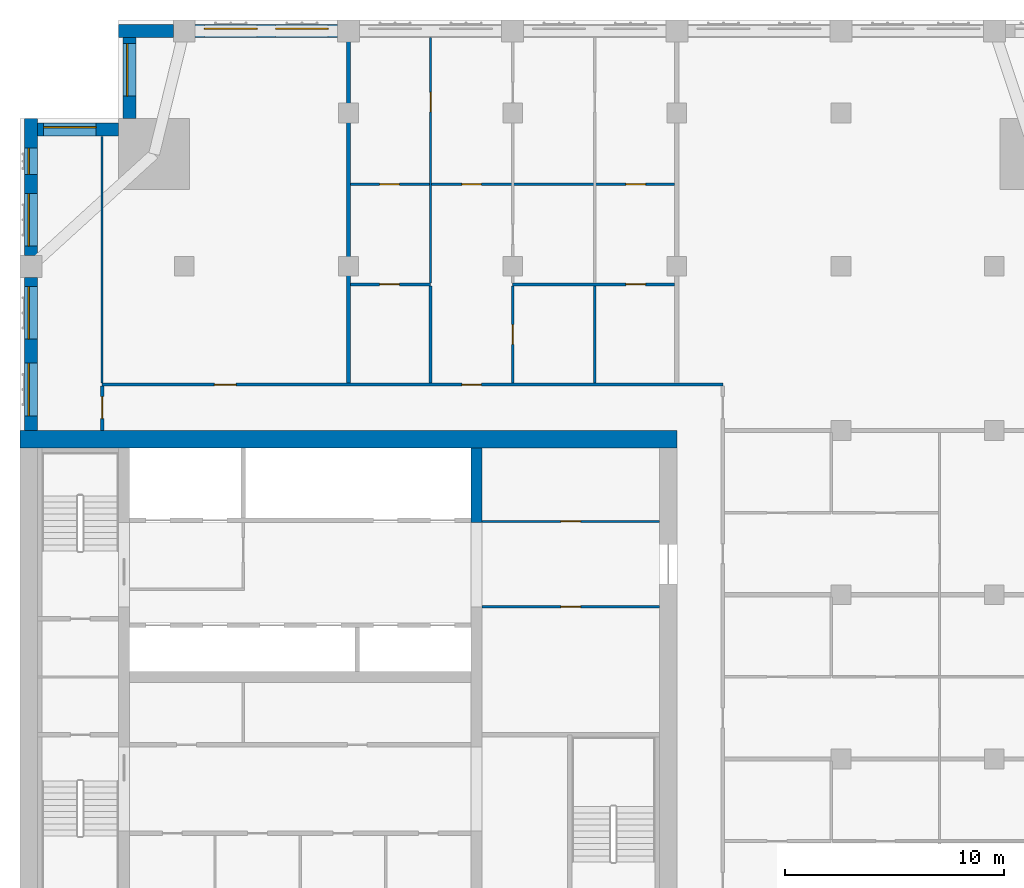
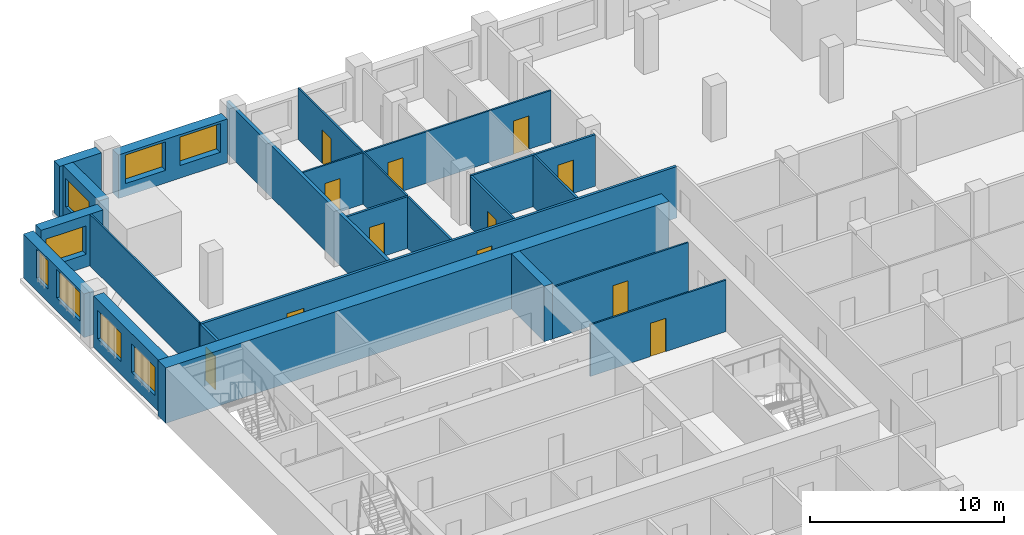
# One storey, part 10 of 14: 21 walls, 12 doors, 8 windows, 20 openings.
"""IFC4 building model written with IfcOpenShell, lengths in metres."""

from ifc_helpers import new_model, si_unit, direction, frame, frame_2d, origin, place, context, subcontext, project, spatial, rectangle, extrude, material, layer, layer_set, type_object, element, fill, save


model = new_model("IFC4")

# Units and contexts
model_context = context("Model", 3, precision=1e-05, world=origin(), true_north=direction((0.0, 1.0)))
body_context = subcontext(model_context, "Body", "Model", "MODEL_VIEW")
ifc_project = project(units=[si_unit("LENGTHUNIT", "METRE"), si_unit("AREAUNIT", "SQUARE_METRE"), si_unit("VOLUMEUNIT", "CUBIC_METRE"), si_unit("PLANEANGLEUNIT", "RADIAN"), si_unit("MASSUNIT", "GRAM", prefix="KILO")], contexts=[model_context])

# Site, building, storey
site_placement = place(None, origin())
site = spatial("IfcSite", under=ifc_project, at=site_placement, CompositionType="ELEMENT")
building_placement = place(site_placement, origin())
building = spatial("IfcBuilding", under=site, at=building_placement, Name="Tamorin Gate", CompositionType="ELEMENT")
storey_placement = place(building_placement, frame((0.0, 0.0, 186.199951171875)))
storey = spatial("IfcBuildingStorey", under=building, at=storey_placement, Name="L45", CompositionType="ELEMENT", Elevation=186.199951171875)

# Wall, openings, windows
ifc_material_1 = material(Name="Precast concrete C40/50", Category="concrete")
ifc_layer_1 = layer(ifc_material_1, 0.60009765625)
ifc_layer_set_1 = layer_set([ifc_layer_1], Name="Precast concrete C40/50")
wall_type_1 = type_object("IfcWallType", Name="Board-marked concrete facade panel 600", PredefinedType="SOLIDWALL", material=ifc_layer_set_1)
wall_1_placement = place(storey_placement, frame((44.5, 100.75, 0.0), z_axis=(0.0, 0.0, 1.0), x_axis=(-1.0, 0.0, 0.0)))
wall_1 = element("IfcWall", 1, at=wall_1_placement, inside=storey, type_object=wall_type_1, Name="Facade panel", PredefinedType="SOLIDWALL", context=body_context, shape_type="SweptSolid", body=[
    extrude(rectangle(XDim=6.5, YDim=0.60009765625, at=frame_2d((3.25, 0.0))), origin(), (0.0, 0.0, 1.0), 2.75),
])
opening_1_placement = place(wall_1_placement, frame((3.675048828125, 0.0, 0.800048828125)))
opening_1 = element("IfcOpeningElement", 2, at=opening_1_placement, cuts=wall_1, Name="Opening WN1", PredefinedType="OPENING", context=body_context, shape_type="SweptSolid", body=[
    extrude(rectangle(XDim=2.39990234375, YDim=1.800048828125, at=frame_2d((1.199951171875, 0.89990234375))), frame((0.0, 0.31005859375, 0.0), z_axis=(0.0, -1.0, 0.0), x_axis=(1.0, 0.0, 0.0)), (0.0, 0.0, 1.0), 0.6201171875),
])
opening_2_placement = place(wall_1_placement, frame((0.425048828125, 0.0, 0.800048828125)))
opening_2 = element("IfcOpeningElement", 3, at=opening_2_placement, cuts=wall_1, Name="Opening WN1", PredefinedType="OPENING", context=body_context, shape_type="SweptSolid", body=[
    extrude(rectangle(XDim=2.39990234375, YDim=1.800048828125, at=frame_2d((1.199951171875, 0.89990234375))), frame((0.0, 0.31005859375, 0.0), z_axis=(0.0, -1.0, 0.0), x_axis=(1.0, 0.0, 0.0)), (0.0, 0.0, 1.0), 0.6201171875),
])
ifc_material_2 = material(Name="Clear glass in aluminium frame", Category="aluminium")
window_type_1 = type_object("IfcWindowType", Name="Deep-set window 2400x1800", PartitioningType="SINGLE_PANEL", PredefinedType="WINDOW", material=ifc_material_2)
window_1_placement = place(opening_1_placement, origin())
window_1 = element("IfcWindow", 4, at=window_1_placement, inside=storey, type_object=window_type_1, Name="Deep-set window", OverallHeight=1.800048828125, OverallWidth=2.39990234375, PartitioningType="SINGLE_PANEL", PredefinedType="WINDOW", context=body_context, shape_type="SweptSolid", body=[
    extrude(rectangle(XDim=2.39990234375, YDim=1.800048828125, at=frame_2d((1.199951171875, 0.89990234375))), frame((0.0, -0.070068359375, 0.0), z_axis=(0.0, -1.0, 0.0), x_axis=(1.0, 0.0, 0.0)), (0.0, 0.0, 1.0), 0.06005859375),
])
fill(opening_1, window_1)
window_2_placement = place(opening_2_placement, origin())
window_2 = element("IfcWindow", 5, at=window_2_placement, inside=storey, type_object=window_type_1, Name="Deep-set window", OverallHeight=1.800048828125, OverallWidth=2.39990234375, PartitioningType="SINGLE_PANEL", PredefinedType="WINDOW", context=body_context, shape_type="SweptSolid", body=[
    extrude(rectangle(XDim=2.39990234375, YDim=1.800048828125, at=frame_2d((1.199951171875, 0.89990234375))), frame((0.0, -0.070068359375, 0.0), z_axis=(0.0, -1.0, 0.0), x_axis=(1.0, 0.0, 0.0)), (0.0, 0.0, 1.0), 0.06005859375),
])
fill(opening_2, window_2)

# Wall
wall_2_placement = place(storey_placement, frame((37.0, 100.75, 0.0), z_axis=(0.0, 0.0, 1.0), x_axis=(-1.0, 0.0, 0.0)))
element("IfcWall", 6, at=wall_2_placement, inside=storey, type_object=wall_type_1, Name="Facade panel", PredefinedType="SOLIDWALL", context=body_context, shape_type="SweptSolid", body=[
    extrude(rectangle(XDim=2.5, YDim=0.60009765625, at=frame_2d((1.25, 0.0))), origin(), (0.0, 0.0, 1.0), 3.25),
])

# Wall, opening, window
wall_3_placement = place(storey_placement, frame((35.0, 100.449951171875, 0.0), z_axis=(0.0, 0.0, 1.0), x_axis=(0.0, -1.0, 0.0)))
wall_3 = element("IfcWall", 7, at=wall_3_placement, inside=storey, type_object=wall_type_1, Name="Facade panel", PredefinedType="SOLIDWALL", context=body_context, shape_type="SweptSolid", body=[
    extrude(rectangle(XDim=3.699951171875, YDim=0.60009765625, at=frame_2d((1.85009765625, 0.0))), origin(), (0.0, 0.0, 1.0), 3.25),
])
opening_3_placement = place(wall_3_placement, frame((0.27490234375, 0.0, 0.800048828125)))
opening_3 = element("IfcOpeningElement", 8, at=opening_3_placement, cuts=wall_3, Name="Opening WN1", PredefinedType="OPENING", context=body_context, shape_type="SweptSolid", body=[
    extrude(rectangle(XDim=2.39990234375, YDim=1.800048828125, at=frame_2d((1.199951171875, 0.89990234375))), frame((0.0, 0.31005859375, 0.0), z_axis=(0.0, -1.0, 0.0), x_axis=(1.0, 0.0, 0.0)), (0.0, 0.0, 1.0), 0.6201171875),
])
window_3_placement = place(opening_3_placement, origin())
window_3 = element("IfcWindow", 9, at=window_3_placement, inside=storey, type_object=window_type_1, Name="Deep-set window", OverallHeight=1.800048828125, OverallWidth=2.39990234375, PartitioningType="SINGLE_PANEL", PredefinedType="WINDOW", context=body_context, shape_type="SweptSolid", body=[
    extrude(rectangle(XDim=2.39990234375, YDim=1.800048828125, at=frame_2d((1.199951171875, 0.89990234375))), frame((0.0, -0.070068359375, 0.0), z_axis=(0.0, -1.0, 0.0), x_axis=(1.0, 0.0, 0.0)), (0.0, 0.0, 1.0), 0.06005859375),
])
fill(opening_3, window_3)

wall_4_placement = place(storey_placement, frame((34.5, 96.25, 0.0), z_axis=(0.0, 0.0, 1.0), x_axis=(-1.0, 0.0, 0.0)))
wall_4 = element("IfcWall", 10, at=wall_4_placement, inside=storey, type_object=wall_type_1, Name="Facade panel", PredefinedType="SOLIDWALL", context=body_context, shape_type="SweptSolid", body=[
    extrude(rectangle(XDim=3.699951171875, YDim=0.60009765625, at=frame_2d((1.85009765625, 0.0))), origin(), (0.0, 0.0, 1.0), 3.25),
])
opening_4_placement = place(wall_4_placement, frame((1.02490234375, 0.0, 0.800048828125)))
opening_4 = element("IfcOpeningElement", 11, at=opening_4_placement, cuts=wall_4, Name="Opening WN1", PredefinedType="OPENING", context=body_context, shape_type="SweptSolid", body=[
    extrude(rectangle(XDim=2.39990234375, YDim=1.800048828125, at=frame_2d((1.199951171875, 0.89990234375))), frame((0.0, 0.31005859375, 0.0), z_axis=(0.0, -1.0, 0.0), x_axis=(1.0, 0.0, 0.0)), (0.0, 0.0, 1.0), 0.6201171875),
])
window_4_placement = place(opening_4_placement, origin())
window_4 = element("IfcWindow", 12, at=window_4_placement, inside=storey, type_object=window_type_1, Name="Deep-set window", OverallHeight=1.800048828125, OverallWidth=2.39990234375, PartitioningType="SINGLE_PANEL", PredefinedType="WINDOW", context=body_context, shape_type="SweptSolid", body=[
    extrude(rectangle(XDim=2.39990234375, YDim=1.800048828125, at=frame_2d((1.199951171875, 0.89990234375))), frame((0.0, -0.070068359375, 0.0), z_axis=(0.0, -1.0, 0.0), x_axis=(1.0, 0.0, 0.0)), (0.0, 0.0, 1.0), 0.06005859375),
])
fill(opening_4, window_4)

# Wall, openings, windows
wall_5_placement = place(storey_placement, frame((30.5, 96.75, 0.0), z_axis=(0.0, 0.0, 1.0), x_axis=(0.0, -1.0, 0.0)))
wall_5 = element("IfcWall", 13, at=wall_5_placement, inside=storey, type_object=wall_type_1, Name="Facade panel", PredefinedType="SOLIDWALL", context=body_context, shape_type="SweptSolid", body=[
    extrude(rectangle(XDim=6.25, YDim=0.60009765625, at=frame_2d((3.125, 0.0))), origin(), (0.0, 0.0, 1.0), 2.75),
])
opening_5_placement = place(wall_5_placement, frame((3.425048828125, 0.0, 0.800048828125)))
opening_5 = element("IfcOpeningElement", 14, at=opening_5_placement, cuts=wall_5, Name="Opening WN1", PredefinedType="OPENING", context=body_context, shape_type="SweptSolid", body=[
    extrude(rectangle(XDim=2.39990234375, YDim=1.800048828125, at=frame_2d((1.199951171875, 0.89990234375))), frame((0.0, 0.31005859375, 0.0), z_axis=(0.0, -1.0, 0.0), x_axis=(1.0, 0.0, 0.0)), (0.0, 0.0, 1.0), 0.6201171875),
])
opening_6_placement = place(wall_5_placement, frame((1.35009765625, 0.0, 0.800048828125)))
opening_6 = element("IfcOpeningElement", 15, at=opening_6_placement, cuts=wall_5, Name="Opening WN3", PredefinedType="OPENING", context=body_context, shape_type="SweptSolid", body=[
    extrude(rectangle(XDim=1.199951171875, YDim=1.800048828125, at=frame_2d((0.60009765625, 0.89990234375))), frame((0.0, 0.31005859375, 0.0), z_axis=(0.0, -1.0, 0.0), x_axis=(1.0, 0.0, 0.0)), (0.0, 0.0, 1.0), 0.6201171875),
])
window_type_2 = type_object("IfcWindowType", Name="Deep-set window 1200x1800", PartitioningType="SINGLE_PANEL", PredefinedType="WINDOW", material=ifc_material_2)
window_5_placement = place(opening_6_placement, origin())
window_5 = element("IfcWindow", 16, at=window_5_placement, inside=storey, type_object=window_type_2, Name="Deep-set window", OverallHeight=1.800048828125, OverallWidth=1.199951171875, PartitioningType="SINGLE_PANEL", PredefinedType="WINDOW", context=body_context, shape_type="SweptSolid", body=[
    extrude(rectangle(XDim=1.199951171875, YDim=1.800048828125, at=frame_2d((0.60009765625, 0.89990234375))), frame((0.0, -0.070068359375, 0.0), z_axis=(0.0, -1.0, 0.0), x_axis=(1.0, 0.0, 0.0)), (0.0, 0.0, 1.0), 0.06005859375),
])
fill(opening_6, window_5)
window_6_placement = place(opening_5_placement, origin())
window_6 = element("IfcWindow", 17, at=window_6_placement, inside=storey, type_object=window_type_1, Name="Deep-set window", OverallHeight=1.800048828125, OverallWidth=2.39990234375, PartitioningType="SINGLE_PANEL", PredefinedType="WINDOW", context=body_context, shape_type="SweptSolid", body=[
    extrude(rectangle(XDim=2.39990234375, YDim=1.800048828125, at=frame_2d((1.199951171875, 0.89990234375))), frame((0.0, -0.070068359375, 0.0), z_axis=(0.0, -1.0, 0.0), x_axis=(1.0, 0.0, 0.0)), (0.0, 0.0, 1.0), 0.06005859375),
])
fill(opening_5, window_6)

wall_6_placement = place(storey_placement, frame((30.5, 89.5, 0.0), z_axis=(0.0, 0.0, 1.0), x_axis=(0.0, -1.0, 0.0)))
wall_6 = element("IfcWall", 18, at=wall_6_placement, inside=storey, type_object=wall_type_1, Name="Facade panel", PredefinedType="SOLIDWALL", context=body_context, shape_type="SweptSolid", body=[
    extrude(rectangle(XDim=7.0, YDim=0.60009765625, at=frame_2d((3.5, 0.0))), origin(), (0.0, 0.0, 1.0), 3.25),
])
opening_7_placement = place(wall_6_placement, frame((3.925048828125, 0.0, 0.800048828125)))
opening_7 = element("IfcOpeningElement", 19, at=opening_7_placement, cuts=wall_6, Name="Opening WN1", PredefinedType="OPENING", context=body_context, shape_type="SweptSolid", body=[
    extrude(rectangle(XDim=2.39990234375, YDim=1.800048828125, at=frame_2d((1.199951171875, 0.89990234375))), frame((0.0, 0.31005859375, 0.0), z_axis=(0.0, -1.0, 0.0), x_axis=(1.0, 0.0, 0.0)), (0.0, 0.0, 1.0), 0.6201171875),
])
opening_8_placement = place(wall_6_placement, frame((0.425048828125, 0.0, 0.800048828125)))
opening_8 = element("IfcOpeningElement", 20, at=opening_8_placement, cuts=wall_6, Name="Opening WN1", PredefinedType="OPENING", context=body_context, shape_type="SweptSolid", body=[
    extrude(rectangle(XDim=2.39990234375, YDim=1.800048828125, at=frame_2d((1.199951171875, 0.89990234375))), frame((0.0, 0.31005859375, 0.0), z_axis=(0.0, -1.0, 0.0), x_axis=(1.0, 0.0, 0.0)), (0.0, 0.0, 1.0), 0.6201171875),
])
window_7_placement = place(opening_7_placement, origin())
window_7 = element("IfcWindow", 21, at=window_7_placement, inside=storey, type_object=window_type_1, Name="Deep-set window", OverallHeight=1.800048828125, OverallWidth=2.39990234375, PartitioningType="SINGLE_PANEL", PredefinedType="WINDOW", context=body_context, shape_type="SweptSolid", body=[
    extrude(rectangle(XDim=2.39990234375, YDim=1.800048828125, at=frame_2d((1.199951171875, 0.89990234375))), frame((0.0, -0.070068359375, 0.0), z_axis=(0.0, -1.0, 0.0), x_axis=(1.0, 0.0, 0.0)), (0.0, 0.0, 1.0), 0.06005859375),
])
fill(opening_7, window_7)
window_8_placement = place(opening_8_placement, origin())
window_8 = element("IfcWindow", 22, at=window_8_placement, inside=storey, type_object=window_type_1, Name="Deep-set window", OverallHeight=1.800048828125, OverallWidth=2.39990234375, PartitioningType="SINGLE_PANEL", PredefinedType="WINDOW", context=body_context, shape_type="SweptSolid", body=[
    extrude(rectangle(XDim=2.39990234375, YDim=1.800048828125, at=frame_2d((1.199951171875, 0.89990234375))), frame((0.0, -0.070068359375, 0.0), z_axis=(0.0, -1.0, 0.0), x_axis=(1.0, 0.0, 0.0)), (0.0, 0.0, 1.0), 0.06005859375),
])
fill(opening_8, window_8)

# Wall, openings, doors
ifc_material_3 = material(Name="Gypsum board partition")
ifc_layer_2 = layer(ifc_material_3, 0.14990234375)
ifc_layer_set_2 = layer_set([ifc_layer_2], Name="Corridor wall 150")
wall_type_2 = type_object("IfcWallType", Name="Corridor wall 150", PredefinedType="PARTITIONING", material=ifc_layer_set_2)
wall_7_placement = place(storey_placement, frame((33.75, 84.60009765625, 0.0), z_axis=(0.0, 0.0, 1.0), x_axis=(1.0, 0.0, 0.0)))
wall_7 = element("IfcWall", 23, at=wall_7_placement, inside=storey, type_object=wall_type_2, Name="Corridor wall 150", PredefinedType="PARTITIONING", context=body_context, shape_type="SweptSolid", body=[
    extrude(rectangle(XDim=28.35009765625, YDim=0.14990234375, at=frame_2d((14.175048828125, 0.0))), origin(), (0.0, 0.0, 1.0), 3.25),
])
opening_9_placement = place(wall_7_placement, frame((5.125, 0.0, 0.0)))
opening_9 = element("IfcOpeningElement", 24, at=opening_9_placement, cuts=wall_7, Name="Opening DR3021", PredefinedType="OPENING", context=body_context, shape_type="SweptSolid", body=[
    extrude(rectangle(XDim=1.0, YDim=2.10009765625, at=frame_2d((0.5, 1.050048828125))), frame((0.0, 0.0849609375, 0.0), z_axis=(0.0, -1.0, 0.0), x_axis=(1.0, 0.0, 0.0)), (0.0, 0.0, 1.0), 0.169921875),
])
opening_10_placement = place(wall_7_placement, frame((16.425048828125, 0.0, 0.0)))
opening_10 = element("IfcOpeningElement", 25, at=opening_10_placement, cuts=wall_7, Name="Opening DR3024", PredefinedType="OPENING", context=body_context, shape_type="SweptSolid", body=[
    extrude(rectangle(XDim=0.89990234375, YDim=2.10009765625, at=frame_2d((0.449951171875, 1.050048828125))), frame((0.0, 0.0849609375, 0.0), z_axis=(0.0, -1.0, 0.0), x_axis=(1.0, 0.0, 0.0)), (0.0, 0.0, 1.0), 0.169921875),
])
ifc_material_4 = material(Name="Timber door leaf", Category="wood")
door_type_1 = type_object("IfcDoorType", Name="Door 1000 x 2100 FD30S", OperationType="NOTDEFINED", PredefinedType="DOOR", material=ifc_material_4)
door_1_placement = place(opening_9_placement, origin())
door_1 = element("IfcDoor", 26, at=door_1_placement, inside=storey, type_object=door_type_1, Name="Door DR3021", OperationType="SINGLE_SWING_LEFT", OverallHeight=2.10009765625, OverallWidth=1.0, PredefinedType="DOOR", context=body_context, shape_type="SweptSolid", body=[
    extrude(rectangle(XDim=1.0, YDim=2.10009765625, at=frame_2d((0.5, 1.050048828125))), frame((0.0, 0.02490234375, 0.0), z_axis=(0.0, -1.0, 0.0), x_axis=(1.0, 0.0, 0.0)), (0.0, 0.0, 1.0), 0.050048828125),
])
fill(opening_9, door_1)
door_type_2 = type_object("IfcDoorType", Name="Door 900 x 2100 FD30S", OperationType="NOTDEFINED", PredefinedType="DOOR", material=ifc_material_4)
door_2_placement = place(opening_10_placement, origin())
door_2 = element("IfcDoor", 27, at=door_2_placement, inside=storey, type_object=door_type_2, Name="Door DR3024", OperationType="SINGLE_SWING_LEFT", OverallHeight=2.10009765625, OverallWidth=0.89990234375, PredefinedType="DOOR", context=body_context, shape_type="SweptSolid", body=[
    extrude(rectangle(XDim=0.89990234375, YDim=2.10009765625, at=frame_2d((0.449951171875, 1.050048828125))), frame((0.0, 0.02490234375, 0.0), z_axis=(0.0, -1.0, 0.0), x_axis=(1.0, 0.0, 0.0)), (0.0, 0.0, 1.0), 0.050048828125),
])
fill(opening_10, door_2)

# Wall, opening, door
wall_8_placement = place(storey_placement, frame((33.75, 82.5, 0.0), z_axis=(0.0, 0.0, 1.0), x_axis=(0.0, 1.0, 0.0)))
wall_8 = element("IfcWall", 28, at=wall_8_placement, inside=storey, type_object=wall_type_2, Name="Corridor wall 150", PredefinedType="PARTITIONING", context=body_context, shape_type="SweptSolid", body=[
    extrude(rectangle(XDim=2.02490234375, YDim=0.14990234375, at=frame_2d((1.012451171875, 0.0))), origin(), (0.0, 0.0, 1.0), 3.25),
])
opening_11_placement = place(wall_8_placement, frame((0.550048828125, 0.0, 0.0)))
opening_11 = element("IfcOpeningElement", 29, at=opening_11_placement, cuts=wall_8, Name="Opening DR3020", PredefinedType="OPENING", context=body_context, shape_type="SweptSolid", body=[
    extrude(rectangle(XDim=1.0, YDim=2.10009765625, at=frame_2d((0.5, 1.050048828125))), frame((0.0, 0.0849609375, 0.0), z_axis=(0.0, -1.0, 0.0), x_axis=(1.0, 0.0, 0.0)), (0.0, 0.0, 1.0), 0.169921875),
])
door_3_placement = place(opening_11_placement, origin())
door_3 = element("IfcDoor", 30, at=door_3_placement, inside=storey, type_object=door_type_1, Name="Door DR3020", OperationType="SINGLE_SWING_LEFT", OverallHeight=2.10009765625, OverallWidth=1.0, PredefinedType="DOOR", context=body_context, shape_type="SweptSolid", body=[
    extrude(rectangle(XDim=1.0, YDim=2.10009765625, at=frame_2d((0.5, 1.050048828125))), frame((0.0, 0.02490234375, 0.0), z_axis=(0.0, -1.0, 0.0), x_axis=(1.0, 0.0, 0.0)), (0.0, 0.0, 1.0), 0.050048828125),
])
fill(opening_11, door_3)

# Walls
ifc_layer_3 = layer(ifc_material_3, 0.199951171875)
ifc_layer_set_3 = layer_set([ifc_layer_3], Name="Demising wall 200")
wall_type_3 = type_object("IfcWallType", Name="Demising wall 200", PredefinedType="PARTITIONING", material=ifc_layer_set_3)
wall_9_placement = place(storey_placement, frame((45.0, 84.675048828125, 0.0), z_axis=(0.0, 0.0, 1.0), x_axis=(0.0, 1.0, 0.0)))
element("IfcWall", 31, at=wall_9_placement, inside=storey, type_object=wall_type_3, Name="Demising wall 200", PredefinedType="PARTITIONING", context=body_context, shape_type="SweptSolid", body=[
    extrude(rectangle(XDim=16.574951171875, YDim=0.199951171875, at=frame_2d((8.28759765625, 0.0))), origin(), (0.0, 0.0, 1.0), 3.25),
])
ifc_material_5 = material(Name="Concrete C60/75", Category="concrete")
ifc_layer_4 = layer(ifc_material_5, 0.5)
ifc_layer_set_4 = layer_set([ifc_layer_4], Name="RC core internal wall 500 C60/75")
wall_type_4 = type_object("IfcWallType", Name="RC core internal wall 500 C60/75", PredefinedType="SHEAR", material=ifc_layer_set_4)
wall_10_placement = place(storey_placement, frame((50.85009765625, 78.300048828125, 0.0), z_axis=(0.0, 0.0, 1.0), x_axis=(0.0, 1.0, 0.0)))
element("IfcWall", 32, at=wall_10_placement, inside=storey, type_object=wall_type_4, Name="Core cross wall L45", PredefinedType="SHEAR", context=body_context, shape_type="SweptSolid", body=[
    extrude(rectangle(XDim=3.39990234375, YDim=0.5, at=frame_2d((1.699951171875, 0.0))), origin(), (0.0, 0.0, 1.0), 3.5),
])
ifc_layer_5 = layer(ifc_material_5, 0.800048828125)
ifc_layer_set_5 = layer_set([ifc_layer_5], Name="RC core wall 800 C60/75")
wall_type_5 = type_object("IfcWallType", Name="RC core wall 800 C60/75", PredefinedType="SHEAR", material=ifc_layer_set_5)
wall_11_placement = place(storey_placement, frame((30.0, 82.10009765625, 0.0), z_axis=(0.0, 0.0, 1.0), x_axis=(1.0, 0.0, 0.0)))
element("IfcWall", 33, at=wall_11_placement, inside=storey, type_object=wall_type_5, Name="Core wall L45", PredefinedType="SHEAR", context=body_context, shape_type="SweptSolid", body=[
    extrude(rectangle(XDim=30.0, YDim=0.800048828125, at=frame_2d((15.0, 0.0))), origin(), (0.0, 0.0, 1.0), 3.5),
])

# Wall, openings, doors
ifc_layer_6 = layer(ifc_material_3, 0.10009765625)
ifc_layer_set_6 = layer_set([ifc_layer_6], Name="Room partition 100")
wall_type_6 = type_object("IfcWallType", Name="Room partition 100", PredefinedType="PARTITIONING", material=ifc_layer_set_6)
wall_12_placement = place(storey_placement, frame((45.10009765625, 93.75, 0.0), z_axis=(0.0, 0.0, 1.0), x_axis=(1.0, 0.0, 0.0)))
wall_12 = element("IfcWall", 34, at=wall_12_placement, inside=storey, type_object=wall_type_6, Name="Room partition 100", PredefinedType="PARTITIONING", context=body_context, shape_type="SweptSolid", body=[
    extrude(rectangle(XDim=14.7998046875, YDim=0.10009765625, at=frame_2d((7.39990234375, 0.0))), origin(), (0.0, 0.0, 1.0), 3.25),
])
opening_12_placement = place(wall_12_placement, frame((1.324951171875, 0.0, 0.0)))
opening_12 = element("IfcOpeningElement", 35, at=opening_12_placement, cuts=wall_12, Name="Opening DR3022", PredefinedType="OPENING", context=body_context, shape_type="SweptSolid", body=[
    extrude(rectangle(XDim=0.89990234375, YDim=2.10009765625, at=frame_2d((0.449951171875, 1.050048828125))), frame((0.0, 0.06005859375, 0.0), z_axis=(0.0, -1.0, 0.0), x_axis=(1.0, 0.0, 0.0)), (0.0, 0.0, 1.0), 0.1201171875),
])
opening_13_placement = place(wall_12_placement, frame((5.074951171875, 0.0, 0.0)))
opening_13 = element("IfcOpeningElement", 36, at=opening_13_placement, cuts=wall_12, Name="Opening DR3025", PredefinedType="OPENING", context=body_context, shape_type="SweptSolid", body=[
    extrude(rectangle(XDim=0.89990234375, YDim=2.10009765625, at=frame_2d((0.449951171875, 1.050048828125))), frame((0.0, 0.06005859375, 0.0), z_axis=(0.0, -1.0, 0.0), x_axis=(1.0, 0.0, 0.0)), (0.0, 0.0, 1.0), 0.1201171875),
])
opening_14_placement = place(wall_12_placement, frame((12.574951171875, 0.0, 0.0)))
opening_14 = element("IfcOpeningElement", 37, at=opening_14_placement, cuts=wall_12, Name="Opening DR3028", PredefinedType="OPENING", context=body_context, shape_type="SweptSolid", body=[
    extrude(rectangle(XDim=0.89990234375, YDim=2.10009765625, at=frame_2d((0.449951171875, 1.050048828125))), frame((0.0, 0.06005859375, 0.0), z_axis=(0.0, -1.0, 0.0), x_axis=(1.0, 0.0, 0.0)), (0.0, 0.0, 1.0), 0.1201171875),
])
door_type_3 = type_object("IfcDoorType", Name="Door 900 x 2100", OperationType="NOTDEFINED", PredefinedType="DOOR", material=ifc_material_4)
door_4_placement = place(opening_12_placement, origin())
door_4 = element("IfcDoor", 38, at=door_4_placement, inside=storey, type_object=door_type_3, Name="Door DR3022", OperationType="SINGLE_SWING_RIGHT", OverallHeight=2.10009765625, OverallWidth=0.89990234375, PredefinedType="DOOR", context=body_context, shape_type="SweptSolid", body=[
    extrude(rectangle(XDim=0.89990234375, YDim=2.10009765625, at=frame_2d((0.449951171875, 1.050048828125))), frame((0.0, 0.02490234375, 0.0), z_axis=(0.0, -1.0, 0.0), x_axis=(1.0, 0.0, 0.0)), (0.0, 0.0, 1.0), 0.050048828125),
])
fill(opening_12, door_4)
door_5_placement = place(opening_13_placement, origin())
door_5 = element("IfcDoor", 39, at=door_5_placement, inside=storey, type_object=door_type_3, Name="Door DR3025", OperationType="SINGLE_SWING_RIGHT", OverallHeight=2.10009765625, OverallWidth=0.89990234375, PredefinedType="DOOR", context=body_context, shape_type="SweptSolid", body=[
    extrude(rectangle(XDim=0.89990234375, YDim=2.10009765625, at=frame_2d((0.449951171875, 1.050048828125))), frame((0.0, 0.02490234375, 0.0), z_axis=(0.0, -1.0, 0.0), x_axis=(1.0, 0.0, 0.0)), (0.0, 0.0, 1.0), 0.050048828125),
])
fill(opening_13, door_5)
door_6_placement = place(opening_14_placement, origin())
door_6 = element("IfcDoor", 40, at=door_6_placement, inside=storey, type_object=door_type_3, Name="Door DR3028", OperationType="SINGLE_SWING_RIGHT", OverallHeight=2.10009765625, OverallWidth=0.89990234375, PredefinedType="DOOR", context=body_context, shape_type="SweptSolid", body=[
    extrude(rectangle(XDim=0.89990234375, YDim=2.10009765625, at=frame_2d((0.449951171875, 1.050048828125))), frame((0.0, 0.02490234375, 0.0), z_axis=(0.0, -1.0, 0.0), x_axis=(1.0, 0.0, 0.0)), (0.0, 0.0, 1.0), 0.050048828125),
])
fill(opening_14, door_6)

# Wall
wall_13_placement = place(storey_placement, frame((33.75, 84.675048828125, 0.0), z_axis=(0.0, 0.0, 1.0), x_axis=(0.0, 1.0, 0.0)))
element("IfcWall", 41, at=wall_13_placement, inside=storey, type_object=wall_type_6, Name="Room partition 100", PredefinedType="PARTITIONING", context=body_context, shape_type="SweptSolid", body=[
    extrude(rectangle(XDim=11.264892578125, YDim=0.10009765625, at=frame_2d((5.63232421875, 0.0))), origin(), (0.0, 0.0, 1.0), 3.25),
])

# Wall, opening, door
wall_14_placement = place(storey_placement, frame((48.75, 89.237548828125, 0.0), z_axis=(0.0, 0.0, 1.0), x_axis=(0.0, 1.0, 0.0)))
wall_14 = element("IfcWall", 42, at=wall_14_placement, inside=storey, type_object=wall_type_6, Name="Room partition 100", PredefinedType="PARTITIONING", context=body_context, shape_type="SweptSolid", body=[
    extrude(rectangle(XDim=11.202392578125, YDim=0.10009765625, at=frame_2d((5.60107421875, 0.0))), origin(), (0.0, 0.0, 1.0), 3.25),
])
opening_15_placement = place(wall_14_placement, frame((7.8125, 0.0, 0.0)))
opening_15 = element("IfcOpeningElement", 43, at=opening_15_placement, cuts=wall_14, Name="Opening DR3030", PredefinedType="OPENING", context=body_context, shape_type="SweptSolid", body=[
    extrude(rectangle(XDim=0.89990234375, YDim=2.10009765625, at=frame_2d((0.449951171875, 1.050048828125))), frame((0.0, 0.06005859375, 0.0), z_axis=(0.0, -1.0, 0.0), x_axis=(1.0, 0.0, 0.0)), (0.0, 0.0, 1.0), 0.1201171875),
])
door_7_placement = place(opening_15_placement, origin())
door_7 = element("IfcDoor", 44, at=door_7_placement, inside=storey, type_object=door_type_3, Name="Door DR3030", OperationType="SINGLE_SWING_LEFT", OverallHeight=2.10009765625, OverallWidth=0.89990234375, PredefinedType="DOOR", context=body_context, shape_type="SweptSolid", body=[
    extrude(rectangle(XDim=0.89990234375, YDim=2.10009765625, at=frame_2d((0.449951171875, 1.050048828125))), frame((0.0, 0.02490234375, 0.0), z_axis=(0.0, -1.0, 0.0), x_axis=(1.0, 0.0, 0.0)), (0.0, 0.0, 1.0), 0.050048828125),
])
fill(opening_15, door_7)

ifc_layer_7 = layer(ifc_material_3, 0.10009765625)
ifc_layer_set_7 = layer_set([ifc_layer_7], Name="Service room partition 100 EI 60")
wall_type_7 = type_object("IfcWallType", Name="Service room partition 100 EI 60", PredefinedType="PARTITIONING", material=ifc_layer_set_7)
wall_15_placement = place(storey_placement, frame((51.10009765625, 74.449951171875, 0.0), z_axis=(0.0, 0.0, 1.0), x_axis=(1.0, 0.0, 0.0)))
wall_15 = element("IfcWall", 45, at=wall_15_placement, inside=storey, type_object=wall_type_7, Name="Service room wall", PredefinedType="PARTITIONING", context=body_context, shape_type="SweptSolid", body=[
    extrude(rectangle(XDim=8.099853515625, YDim=0.10009765625, at=frame_2d((4.0498046875, 0.0))), origin(), (0.0, 0.0, 1.0), 3.25),
])
opening_16_placement = place(wall_15_placement, frame((3.60009765625, 0.0, 0.0)))
opening_16 = element("IfcOpeningElement", 46, at=opening_16_placement, cuts=wall_15, Name="Opening DR1", PredefinedType="OPENING", context=body_context, shape_type="SweptSolid", body=[
    extrude(rectangle(XDim=0.89990234375, YDim=2.10009765625, at=frame_2d((0.449951171875, 1.050048828125))), frame((0.0, 0.06005859375, 0.0), z_axis=(0.0, -1.0, 0.0), x_axis=(1.0, 0.0, 0.0)), (0.0, 0.0, 1.0), 0.1201171875),
])
ifc_material_6 = material(Name="Steel fire door", Category="steel")
door_type_4 = type_object("IfcDoorType", Name="Riser access door 900 x 2100 EI 120", OperationType="SINGLE_SWING_LEFT", PredefinedType="DOOR", material=ifc_material_6)
door_8_placement = place(opening_16_placement, origin())
door_8 = element("IfcDoor", 47, at=door_8_placement, inside=storey, type_object=door_type_4, Name="Duct riser door", OperationType="SINGLE_SWING_LEFT", OverallHeight=2.10009765625, OverallWidth=0.89990234375, PredefinedType="DOOR", context=body_context, shape_type="SweptSolid", body=[
    extrude(rectangle(XDim=0.89990234375, YDim=2.10009765625, at=frame_2d((0.449951171875, 1.050048828125))), frame((0.0, 0.02490234375, 0.0), z_axis=(0.0, -1.0, 0.0), x_axis=(1.0, 0.0, 0.0)), (0.0, 0.0, 1.0), 0.050048828125),
])
fill(opening_16, door_8)

wall_16_placement = place(storey_placement, frame((51.10009765625, 78.35009765625, 0.0), z_axis=(0.0, 0.0, 1.0), x_axis=(1.0, 0.0, 0.0)))
wall_16 = element("IfcWall", 48, at=wall_16_placement, inside=storey, type_object=wall_type_7, Name="Service room wall", PredefinedType="PARTITIONING", context=body_context, shape_type="SweptSolid", body=[
    extrude(rectangle(XDim=8.099853515625, YDim=0.10009765625, at=frame_2d((4.0498046875, 0.0))), origin(), (0.0, 0.0, 1.0), 3.25),
])
opening_17_placement = place(wall_16_placement, frame((3.60009765625, 0.0, 0.0)))
opening_17 = element("IfcOpeningElement", 49, at=opening_17_placement, cuts=wall_16, Name="Opening DK1", PredefinedType="OPENING", context=body_context, shape_type="SweptSolid", body=[
    extrude(rectangle(XDim=0.89990234375, YDim=2.10009765625, at=frame_2d((0.449951171875, 1.050048828125))), frame((0.0, 0.06005859375, 0.0), z_axis=(0.0, -1.0, 0.0), x_axis=(1.0, 0.0, 0.0)), (0.0, 0.0, 1.0), 0.1201171875),
])
ifc_material_7 = material(Name="Timber fire door", Category="wood")
door_type_5 = type_object("IfcDoorType", Name="Service room door 900 x 2100 EI 60", OperationType="SINGLE_SWING_LEFT", PredefinedType="DOOR", material=ifc_material_7)
door_9_placement = place(opening_17_placement, origin())
door_9 = element("IfcDoor", 50, at=door_9_placement, inside=storey, type_object=door_type_5, Name="Door Housekeeping office", OperationType="SINGLE_SWING_LEFT", OverallHeight=2.10009765625, OverallWidth=0.89990234375, PredefinedType="DOOR", context=body_context, shape_type="SweptSolid", body=[
    extrude(rectangle(XDim=0.89990234375, YDim=2.10009765625, at=frame_2d((0.449951171875, 1.050048828125))), frame((0.0, 0.02490234375, 0.0), z_axis=(0.0, -1.0, 0.0), x_axis=(1.0, 0.0, 0.0)), (0.0, 0.0, 1.0), 0.050048828125),
])
fill(opening_17, door_9)

ifc_layer_8 = layer(ifc_material_3, 0.125)
ifc_layer_set_8 = layer_set([ifc_layer_8], Name="Wet wall 125")
wall_type_8 = type_object("IfcWallType", Name="Wet wall 125", PredefinedType="PARTITIONING", material=ifc_layer_set_8)
wall_17_placement = place(storey_placement, frame((45.10009765625, 89.175048828125, 0.0), z_axis=(0.0, 0.0, 1.0), x_axis=(1.0, 0.0, 0.0)))
wall_17 = element("IfcWall", 51, at=wall_17_placement, inside=storey, type_object=wall_type_8, Name="Wet wall 125", PredefinedType="PARTITIONING", context=body_context, shape_type="SweptSolid", body=[
    extrude(rectangle(XDim=3.64990234375, YDim=0.125, at=frame_2d((1.824951171875, 0.0))), origin(), (0.0, 0.0, 1.0), 3.25),
])
opening_18_placement = place(wall_17_placement, frame((1.324951171875, 0.0, 0.0)))
opening_18 = element("IfcOpeningElement", 52, at=opening_18_placement, cuts=wall_17, Name="Opening DR3023", PredefinedType="OPENING", context=body_context, shape_type="SweptSolid", body=[
    extrude(rectangle(XDim=0.89990234375, YDim=2.10009765625, at=frame_2d((0.449951171875, 1.050048828125))), frame((0.0, 0.072509765625, 0.0), z_axis=(0.0, -1.0, 0.0), x_axis=(1.0, 0.0, 0.0)), (0.0, 0.0, 1.0), 0.14501953125),
])
door_10_placement = place(opening_18_placement, origin())
door_10 = element("IfcDoor", 53, at=door_10_placement, inside=storey, type_object=door_type_3, Name="Door DR3023", OperationType="SINGLE_SWING_RIGHT", OverallHeight=2.10009765625, OverallWidth=0.89990234375, PredefinedType="DOOR", context=body_context, shape_type="SweptSolid", body=[
    extrude(rectangle(XDim=0.89990234375, YDim=2.10009765625, at=frame_2d((0.449951171875, 1.050048828125))), frame((0.0, 0.02490234375, 0.0), z_axis=(0.0, -1.0, 0.0), x_axis=(1.0, 0.0, 0.0)), (0.0, 0.0, 1.0), 0.050048828125),
])
fill(opening_18, door_10)

wall_18_placement = place(storey_placement, frame((52.5, 89.175048828125, 0.0), z_axis=(0.0, 0.0, 1.0), x_axis=(1.0, 0.0, 0.0)))
wall_18 = element("IfcWall", 54, at=wall_18_placement, inside=storey, type_object=wall_type_8, Name="Wet wall 125", PredefinedType="PARTITIONING", context=body_context, shape_type="SweptSolid", body=[
    extrude(rectangle(XDim=7.39990234375, YDim=0.125, at=frame_2d((3.699951171875, 0.0))), origin(), (0.0, 0.0, 1.0), 3.25),
])
opening_19_placement = place(wall_18_placement, frame((5.175048828125, 0.0, 0.0)))
opening_19 = element("IfcOpeningElement", 55, at=opening_19_placement, cuts=wall_18, Name="Opening DR3029", PredefinedType="OPENING", context=body_context, shape_type="SweptSolid", body=[
    extrude(rectangle(XDim=0.89990234375, YDim=2.10009765625, at=frame_2d((0.449951171875, 1.050048828125))), frame((0.0, 0.072509765625, 0.0), z_axis=(0.0, -1.0, 0.0), x_axis=(1.0, 0.0, 0.0)), (0.0, 0.0, 1.0), 0.14501953125),
])
door_11_placement = place(opening_19_placement, origin())
door_11 = element("IfcDoor", 56, at=door_11_placement, inside=storey, type_object=door_type_3, Name="Door DR3029", OperationType="SINGLE_SWING_RIGHT", OverallHeight=2.10009765625, OverallWidth=0.89990234375, PredefinedType="DOOR", context=body_context, shape_type="SweptSolid", body=[
    extrude(rectangle(XDim=0.89990234375, YDim=2.10009765625, at=frame_2d((0.449951171875, 1.050048828125))), frame((0.0, 0.02490234375, 0.0), z_axis=(0.0, -1.0, 0.0), x_axis=(1.0, 0.0, 0.0)), (0.0, 0.0, 1.0), 0.050048828125),
])
fill(opening_19, door_11)

# Wall
wall_19_placement = place(storey_placement, frame((48.75, 84.675048828125, 0.0), z_axis=(0.0, 0.0, 1.0), x_axis=(0.0, 1.0, 0.0)))
element("IfcWall", 57, at=wall_19_placement, inside=storey, type_object=wall_type_8, Name="Wet wall 125", PredefinedType="PARTITIONING", context=body_context, shape_type="SweptSolid", body=[
    extrude(rectangle(XDim=4.4375, YDim=0.125, at=frame_2d((2.21875, 0.0))), origin(), (0.0, 0.0, 1.0), 3.25),
])

# Wall, opening, door
wall_20_placement = place(storey_placement, frame((52.5, 84.675048828125, 0.0), z_axis=(0.0, 0.0, 1.0), x_axis=(0.0, 1.0, 0.0)))
wall_20 = element("IfcWall", 58, at=wall_20_placement, inside=storey, type_object=wall_type_8, Name="Wet wall 125", PredefinedType="PARTITIONING", context=body_context, shape_type="SweptSolid", body=[
    extrude(rectangle(XDim=4.4375, YDim=0.125, at=frame_2d((2.21875, 0.0))), origin(), (0.0, 0.0, 1.0), 3.25),
])
opening_20_placement = place(wall_20_placement, frame((1.762451171875, 0.0, 0.0)))
opening_20 = element("IfcOpeningElement", 59, at=opening_20_placement, cuts=wall_20, Name="Opening DR3027", PredefinedType="OPENING", context=body_context, shape_type="SweptSolid", body=[
    extrude(rectangle(XDim=0.89990234375, YDim=2.10009765625, at=frame_2d((0.449951171875, 1.050048828125))), frame((0.0, 0.072509765625, 0.0), z_axis=(0.0, -1.0, 0.0), x_axis=(1.0, 0.0, 0.0)), (0.0, 0.0, 1.0), 0.14501953125),
])
door_12_placement = place(opening_20_placement, origin())
door_12 = element("IfcDoor", 60, at=door_12_placement, inside=storey, type_object=door_type_3, Name="Door DR3027", OperationType="SINGLE_SWING_LEFT", OverallHeight=2.10009765625, OverallWidth=0.89990234375, PredefinedType="DOOR", context=body_context, shape_type="SweptSolid", body=[
    extrude(rectangle(XDim=0.89990234375, YDim=2.10009765625, at=frame_2d((0.449951171875, 1.050048828125))), frame((0.0, 0.02490234375, 0.0), z_axis=(0.0, -1.0, 0.0), x_axis=(1.0, 0.0, 0.0)), (0.0, 0.0, 1.0), 0.050048828125),
])
fill(opening_20, door_12)

# Wall
wall_21_placement = place(storey_placement, frame((56.25, 84.675048828125, 0.0), z_axis=(0.0, 0.0, 1.0), x_axis=(0.0, 1.0, 0.0)))
element("IfcWall", 61, at=wall_21_placement, inside=storey, type_object=wall_type_8, Name="Wet wall 125", PredefinedType="PARTITIONING", context=body_context, shape_type="SweptSolid", body=[
    extrude(rectangle(XDim=4.4375, YDim=0.125, at=frame_2d((2.21875, 0.0))), origin(), (0.0, 0.0, 1.0), 3.25),
])

save(model, "model.ifc")
